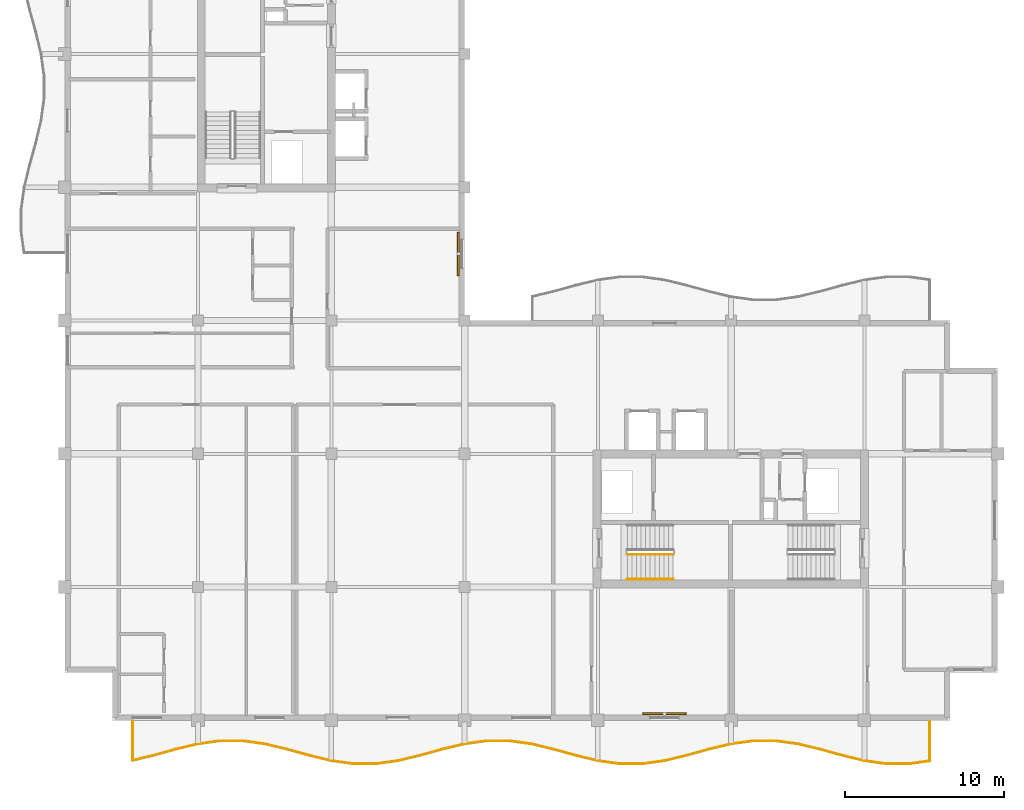
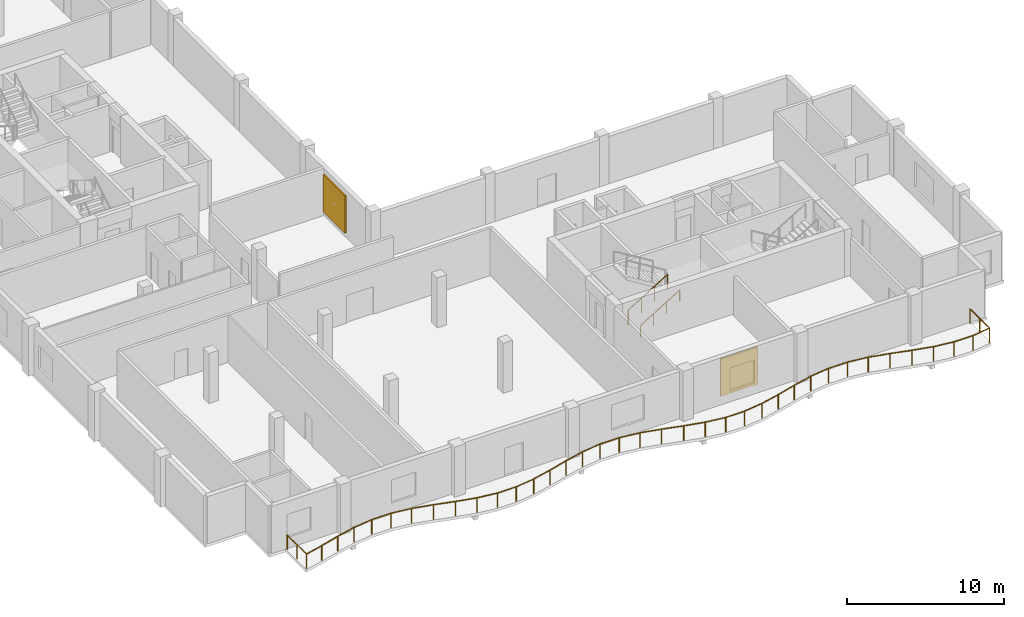
# One storey, part 9 of 11: 3 railings, 2 shading devices.
"""IFC4 building model written with IfcOpenShell, lengths in metres."""

from ifc_helpers import new_model, si_unit, direction, frame, origin, origin_2d, place, context, subcontext, project, spatial, rectangle, circle, extrude, material, layer, layer_set, type_object, element, save


model = new_model("IFC4")

# Units and contexts
model_context = context("Model", 3, precision=1e-05, world=origin(), true_north=direction((0.0, 1.0)))
body_context = subcontext(model_context, "Body", "Model", "MODEL_VIEW")
ifc_project = project(units=[si_unit("LENGTHUNIT", "METRE"), si_unit("AREAUNIT", "SQUARE_METRE"), si_unit("VOLUMEUNIT", "CUBIC_METRE"), si_unit("PLANEANGLEUNIT", "RADIAN"), si_unit("MASSUNIT", "GRAM", prefix="KILO")], contexts=[model_context])

# Site, building, storey
site_placement = place(None, origin())
site = spatial("IfcSite", under=ifc_project, at=site_placement, CompositionType="ELEMENT")
building_placement = place(site_placement, origin())
building = spatial("IfcBuilding", under=site, at=building_placement, Name="Koriwani Terraces Tower", CompositionType="ELEMENT")
storey_placement = place(building_placement, frame((0.0, 0.0, 343.699951171875)))
storey = spatial("IfcBuildingStorey", under=building, at=storey_placement, Name="L85", CompositionType="ELEMENT", Elevation=343.699951171875)

# Railings
ifc_material_1 = material(Name="Steel ASTM A572 Grade 50", Category="steel")
railing_type_1 = type_object("IfcRailingType", Name="GUARD_BALUSTRADE_1150", PredefinedType="BALUSTRADE", material=ifc_material_1)
railing_1_placement = place(storey_placement, frame((12.679931640625, 8.320068359375, 0.0)))
element("IfcRailing", 1, at=railing_1_placement, inside=storey, type_object=railing_type_1, Name="L85 Balcony Perimeter Safety Balustrade (S)", PredefinedType="BALUSTRADE", context=body_context, shape_type="SweptSolid", body=[
    extrude(circle(Radius=0.02392578125, at=origin_2d()), frame((0.0, 0.0, 1.1259765625), z_axis=(0.0, -1.0, 0.0), x_axis=(1.0, 0.0, 0.0)), (0.0, 0.0, 1.0), 2.448974609375),
    extrude(circle(Radius=0.02392578125, at=origin_2d()), frame((0.0, -2.448974609375, 1.1259765625), z_axis=(0.9723458494, 0.233545604015, 0.0), x_axis=(-0.233545604015, 0.9723458494, 0.0)), (0.0, 0.0, 1.0), 1.3369140625),
    extrude(circle(Radius=0.02392578125, at=origin_2d()), frame((1.300048828125, -2.13671875, 1.1259765625), z_axis=(0.963638196753, 0.267210452187, 0.0), x_axis=(-0.267210452187, 0.963638196753, 0.0)), (0.0, 0.0, 1.0), 1.45263671875),
    extrude(circle(Radius=0.02392578125, at=origin_2d()), frame((2.699951171875, -1.74853515625, 1.1259765625), z_axis=(0.972404167631, 0.233302667738, 0.0), x_axis=(-0.233302667738, 0.972404167631, 0.0)), (0.0, 0.0, 1.0), 1.445068359375),
    extrude(circle(Radius=0.02392578125, at=origin_2d()), frame((4.105224609375, -1.411376953125, 1.1259765625), z_axis=(0.990534439774, 0.137264429555, 0.0), x_axis=(-0.137264429555, 0.990534439774, 0.0)), (0.0, 0.0, 1.0), 1.4228515625),
    extrude(circle(Radius=0.02392578125, at=origin_2d()), frame((5.5146484375, -1.216064453125, 1.1259765625), z_axis=(1.0, 0.0, 0.0), x_axis=(0.0, 1.0, 0.0)), (0.0, 0.0, 1.0), 1.410888671875),
    extrude(circle(Radius=0.02392578125, at=origin_2d()), frame((6.925537109375, -1.216064453125, 1.1259765625), z_axis=(0.990534439774, -0.137264429555, 0.0), x_axis=(0.137264429555, 0.990534439774, 0.0)), (0.0, 0.0, 1.0), 1.4228515625),
    extrude(circle(Radius=0.02392578125, at=origin_2d()), frame((8.3349609375, -1.411376953125, 1.1259765625), z_axis=(0.972394970075, -0.233340999769, 0.0), x_axis=(0.233340999769, 0.972394970075, 0.0)), (0.0, 0.0, 1.0), 1.44482421875),
    extrude(circle(Radius=0.02392578125, at=origin_2d()), frame((9.739990234375, -1.74853515625, 1.1259765625), z_axis=(0.963650193341, -0.26716718525, 0.0), x_axis=(0.26716718525, 0.963650193341, 0.0)), (0.0, 0.0, 1.0), 1.452880859375),
    extrude(circle(Radius=0.02392578125, at=origin_2d()), frame((11.14013671875, -2.13671875, 1.1259765625), z_axis=(0.972353303141, -0.233514568862, 0.0), x_axis=(0.233514568862, 0.972353303141, 0.0)), (0.0, 0.0, 1.0), 1.434326171875),
    extrude(circle(Radius=0.02392578125, at=origin_2d()), frame((12.534912109375, -2.4716796875, 1.1259765625), z_axis=(0.990518583157, -0.137378806302, 0.0), x_axis=(0.137378806302, 0.990518583157, 0.0)), (0.0, 0.0, 1.0), 1.404052734375),
    extrude(circle(Radius=0.02392578125, at=origin_2d()), frame((13.925537109375, -2.66455078125, 1.1259765625), z_axis=(1.0, 0.0, 0.0), x_axis=(0.0, 1.0, 0.0)), (0.0, 0.0, 1.0), 1.388916015625),
    extrude(circle(Radius=0.02392578125, at=origin_2d()), frame((15.314453125, -2.66455078125, 1.1259765625), z_axis=(0.990518583157, 0.137378806302, 0.0), x_axis=(-0.137378806302, 0.990518583157, 0.0)), (0.0, 0.0, 1.0), 1.404052734375),
    extrude(circle(Radius=0.02392578125, at=origin_2d()), frame((16.705078125, -2.4716796875, 1.1259765625), z_axis=(0.972362581689, 0.23347592966, 0.0), x_axis=(-0.23347592966, 0.972362581689, 0.0)), (0.0, 0.0, 1.0), 1.4345703125),
    extrude(circle(Radius=0.02392578125, at=origin_2d()), frame((18.10009765625, -2.13671875, 1.1259765625), z_axis=(0.963638196753, 0.267210452187, 0.0), x_axis=(-0.267210452187, 0.963638196753, 0.0)), (0.0, 0.0, 1.0), 1.45263671875),
    extrude(circle(Radius=0.02392578125, at=origin_2d()), frame((19.5, -1.74853515625, 1.1259765625), z_axis=(0.972404167631, 0.233302667738, 0.0), x_axis=(-0.233302667738, 0.972404167631, 0.0)), (0.0, 0.0, 1.0), 1.445068359375),
    extrude(circle(Radius=0.02392578125, at=origin_2d()), frame((20.9052734375, -1.411376953125, 1.1259765625), z_axis=(0.990531206111, 0.137287762455, 0.0), x_axis=(-0.137287762455, 0.990531206111, 0.0)), (0.0, 0.0, 1.0), 1.422607421875),
    extrude(circle(Radius=0.02392578125, at=origin_2d()), frame((22.314453125, -1.216064453125, 1.1259765625), z_axis=(1.0, 0.0, 0.0), x_axis=(0.0, 1.0, 0.0)), (0.0, 0.0, 1.0), 1.4111328125),
    extrude(circle(Radius=0.02392578125, at=origin_2d()), frame((23.7255859375, -1.216064453125, 1.1259765625), z_axis=(0.990531206111, -0.137287762455, 0.0), x_axis=(0.137287762455, 0.990531206111, 0.0)), (0.0, 0.0, 1.0), 1.422607421875),
    extrude(circle(Radius=0.02392578125, at=origin_2d()), frame((25.134765625, -1.411376953125, 1.1259765625), z_axis=(0.972404167631, -0.233302667738, 0.0), x_axis=(0.233302667738, 0.972404167631, 0.0)), (0.0, 0.0, 1.0), 1.445068359375),
    extrude(circle(Radius=0.02392578125, at=origin_2d()), frame((26.5400390625, -1.74853515625, 1.1259765625), z_axis=(0.963650193341, -0.26716718525, 0.0), x_axis=(0.26716718525, 0.963650193341, 0.0)), (0.0, 0.0, 1.0), 1.452880859375),
    extrude(circle(Radius=0.02392578125, at=origin_2d()), frame((27.940185546875, -2.13671875, 1.1259765625), z_axis=(0.972353303141, -0.233514568862, 0.0), x_axis=(0.233514568862, 0.972353303141, 0.0)), (0.0, 0.0, 1.0), 1.434326171875),
    extrude(circle(Radius=0.02392578125, at=origin_2d()), frame((29.3349609375, -2.4716796875, 1.1259765625), z_axis=(0.990518583157, -0.137378806302, 0.0), x_axis=(0.137378806302, 0.990518583157, 0.0)), (0.0, 0.0, 1.0), 1.404052734375),
    extrude(circle(Radius=0.02392578125, at=origin_2d()), frame((30.7255859375, -2.66455078125, 1.1259765625), z_axis=(1.0, 0.0, 0.0), x_axis=(0.0, 1.0, 0.0)), (0.0, 0.0, 1.0), 1.388916015625),
    extrude(circle(Radius=0.02392578125, at=origin_2d()), frame((32.114501953125, -2.66455078125, 1.1259765625), z_axis=(0.990518583157, 0.137378806302, 0.0), x_axis=(-0.137378806302, 0.990518583157, 0.0)), (0.0, 0.0, 1.0), 1.404052734375),
    extrude(circle(Radius=0.02392578125, at=origin_2d()), frame((33.505126953125, -2.4716796875, 1.1259765625), z_axis=(0.972362581689, 0.23347592966, 0.0), x_axis=(-0.23347592966, 0.972362581689, 0.0)), (0.0, 0.0, 1.0), 1.4345703125),
    extrude(circle(Radius=0.02392578125, at=origin_2d()), frame((34.900146484375, -2.13671875, 1.1259765625), z_axis=(0.963638196753, 0.267210452187, 0.0), x_axis=(-0.267210452187, 0.963638196753, 0.0)), (0.0, 0.0, 1.0), 1.45263671875),
    extrude(circle(Radius=0.02392578125, at=origin_2d()), frame((36.300048828125, -1.74853515625, 1.1259765625), z_axis=(0.972404167631, 0.233302667738, 0.0), x_axis=(-0.233302667738, 0.972404167631, 0.0)), (0.0, 0.0, 1.0), 1.445068359375),
    extrude(circle(Radius=0.02392578125, at=origin_2d()), frame((37.705322265625, -1.411376953125, 1.1259765625), z_axis=(0.990531206111, 0.137287762455, 0.0), x_axis=(-0.137287762455, 0.990531206111, 0.0)), (0.0, 0.0, 1.0), 1.422607421875),
    extrude(circle(Radius=0.02392578125, at=origin_2d()), frame((39.114501953125, -1.216064453125, 1.1259765625), z_axis=(1.0, 0.0, 0.0), x_axis=(0.0, 1.0, 0.0)), (0.0, 0.0, 1.0), 1.4111328125),
    extrude(circle(Radius=0.02392578125, at=origin_2d()), frame((40.525634765625, -1.216064453125, 1.1259765625), z_axis=(0.990531206111, -0.137287762455, 0.0), x_axis=(0.137287762455, 0.990531206111, 0.0)), (0.0, 0.0, 1.0), 1.422607421875),
    extrude(circle(Radius=0.02392578125, at=origin_2d()), frame((41.934814453125, -1.411376953125, 1.1259765625), z_axis=(0.972404167631, -0.233302667738, 0.0), x_axis=(0.233302667738, 0.972404167631, 0.0)), (0.0, 0.0, 1.0), 1.445068359375),
    extrude(circle(Radius=0.02392578125, at=origin_2d()), frame((43.340087890625, -1.74853515625, 1.1259765625), z_axis=(0.963638196753, -0.267210452187, 0.0), x_axis=(0.267210452187, 0.963638196753, 0.0)), (0.0, 0.0, 1.0), 1.45263671875),
    extrude(circle(Radius=0.02392578125, at=origin_2d()), frame((44.739990234375, -2.13671875, 1.1259765625), z_axis=(0.972362581689, -0.23347592966, 0.0), x_axis=(0.23347592966, 0.972362581689, 0.0)), (0.0, 0.0, 1.0), 1.4345703125),
    extrude(circle(Radius=0.02392578125, at=origin_2d()), frame((46.135009765625, -2.4716796875, 1.1259765625), z_axis=(0.990518583157, -0.137378806302, 0.0), x_axis=(0.137378806302, 0.990518583157, 0.0)), (0.0, 0.0, 1.0), 1.404052734375),
    extrude(circle(Radius=0.02392578125, at=origin_2d()), frame((47.525634765625, -2.66455078125, 1.1259765625), z_axis=(1.0, 0.0, 0.0), x_axis=(0.0, 1.0, 0.0)), (0.0, 0.0, 1.0), 1.388916015625),
    extrude(circle(Radius=0.02392578125, at=origin_2d()), frame((48.91455078125, -2.66455078125, 1.1259765625), z_axis=(0.990517807296, 0.137384400238, 0.0), x_axis=(-0.137384400238, 0.990517807296, 0.0)), (0.0, 0.0, 1.0), 1.338134765625),
    extrude(circle(Radius=0.02392578125, at=origin_2d()), frame((50.239990234375, -2.480712890625, 1.1259765625), z_axis=(0.0, 1.0, 0.0), x_axis=(-1.0, 0.0, 0.0)), (0.0, 0.0, 1.0), 2.480712890625),
    extrude(circle(Radius=0.02099609375, at=origin_2d()), origin(), (0.0, 0.0, 1.0), 1.101806640625),
    extrude(circle(Radius=0.02099609375, at=origin_2d()), frame((0.0, -1.224609375, 0.0)), (0.0, 0.0, 1.0), 1.101806640625),
    extrude(circle(Radius=0.02099609375, at=origin_2d()), frame((0.0, -2.448974609375, 0.0)), (0.0, 0.0, 1.0), 1.101806640625),
    extrude(circle(Radius=0.02099609375, at=origin_2d()), frame((1.300048828125, -2.13671875, 0.0)), (0.0, 0.0, 1.0), 1.101806640625),
    extrude(circle(Radius=0.02099609375, at=origin_2d()), frame((2.699951171875, -1.74853515625, 0.0)), (0.0, 0.0, 1.0), 1.101806640625),
    extrude(circle(Radius=0.02099609375, at=origin_2d()), frame((4.105224609375, -1.411376953125, 0.0)), (0.0, 0.0, 1.0), 1.101806640625),
    extrude(circle(Radius=0.02099609375, at=origin_2d()), frame((5.5146484375, -1.216064453125, 0.0)), (0.0, 0.0, 1.0), 1.101806640625),
    extrude(circle(Radius=0.02099609375, at=origin_2d()), frame((6.925537109375, -1.216064453125, 0.0)), (0.0, 0.0, 1.0), 1.101806640625),
    extrude(circle(Radius=0.02099609375, at=origin_2d()), frame((8.3349609375, -1.411376953125, 0.0)), (0.0, 0.0, 1.0), 1.101806640625),
    extrude(circle(Radius=0.02099609375, at=origin_2d()), frame((9.739990234375, -1.74853515625, 0.0)), (0.0, 0.0, 1.0), 1.101806640625),
    extrude(circle(Radius=0.02099609375, at=origin_2d()), frame((11.14013671875, -2.13671875, 0.0)), (0.0, 0.0, 1.0), 1.101806640625),
    extrude(circle(Radius=0.02099609375, at=origin_2d()), frame((12.534912109375, -2.4716796875, 0.0)), (0.0, 0.0, 1.0), 1.101806640625),
    extrude(circle(Radius=0.02099609375, at=origin_2d()), frame((13.925537109375, -2.66455078125, 0.0)), (0.0, 0.0, 1.0), 1.101806640625),
    extrude(circle(Radius=0.02099609375, at=origin_2d()), frame((15.314453125, -2.66455078125, 0.0)), (0.0, 0.0, 1.0), 1.101806640625),
    extrude(circle(Radius=0.02099609375, at=origin_2d()), frame((16.705078125, -2.4716796875, 0.0)), (0.0, 0.0, 1.0), 1.101806640625),
    extrude(circle(Radius=0.02099609375, at=origin_2d()), frame((18.10009765625, -2.13671875, 0.0)), (0.0, 0.0, 1.0), 1.101806640625),
    extrude(circle(Radius=0.02099609375, at=origin_2d()), frame((19.5, -1.74853515625, 0.0)), (0.0, 0.0, 1.0), 1.101806640625),
    extrude(circle(Radius=0.02099609375, at=origin_2d()), frame((20.9052734375, -1.411376953125, 0.0)), (0.0, 0.0, 1.0), 1.101806640625),
    extrude(circle(Radius=0.02099609375, at=origin_2d()), frame((22.314453125, -1.216064453125, 0.0)), (0.0, 0.0, 1.0), 1.101806640625),
    extrude(circle(Radius=0.02099609375, at=origin_2d()), frame((23.7255859375, -1.216064453125, 0.0)), (0.0, 0.0, 1.0), 1.101806640625),
    extrude(circle(Radius=0.02099609375, at=origin_2d()), frame((25.134765625, -1.411376953125, 0.0)), (0.0, 0.0, 1.0), 1.101806640625),
    extrude(circle(Radius=0.02099609375, at=origin_2d()), frame((26.5400390625, -1.74853515625, 0.0)), (0.0, 0.0, 1.0), 1.101806640625),
    extrude(circle(Radius=0.02099609375, at=origin_2d()), frame((27.940185546875, -2.13671875, 0.0)), (0.0, 0.0, 1.0), 1.101806640625),
    extrude(circle(Radius=0.02099609375, at=origin_2d()), frame((29.3349609375, -2.4716796875, 0.0)), (0.0, 0.0, 1.0), 1.101806640625),
    extrude(circle(Radius=0.02099609375, at=origin_2d()), frame((30.7255859375, -2.66455078125, 0.0)), (0.0, 0.0, 1.0), 1.101806640625),
    extrude(circle(Radius=0.02099609375, at=origin_2d()), frame((32.114501953125, -2.66455078125, 0.0)), (0.0, 0.0, 1.0), 1.101806640625),
    extrude(circle(Radius=0.02099609375, at=origin_2d()), frame((33.505126953125, -2.4716796875, 0.0)), (0.0, 0.0, 1.0), 1.101806640625),
    extrude(circle(Radius=0.02099609375, at=origin_2d()), frame((34.900146484375, -2.13671875, 0.0)), (0.0, 0.0, 1.0), 1.101806640625),
    extrude(circle(Radius=0.02099609375, at=origin_2d()), frame((36.300048828125, -1.74853515625, 0.0)), (0.0, 0.0, 1.0), 1.101806640625),
    extrude(circle(Radius=0.02099609375, at=origin_2d()), frame((37.705322265625, -1.411376953125, 0.0)), (0.0, 0.0, 1.0), 1.101806640625),
    extrude(circle(Radius=0.02099609375, at=origin_2d()), frame((39.114501953125, -1.216064453125, 0.0)), (0.0, 0.0, 1.0), 1.101806640625),
    extrude(circle(Radius=0.02099609375, at=origin_2d()), frame((40.525634765625, -1.216064453125, 0.0)), (0.0, 0.0, 1.0), 1.101806640625),
    extrude(circle(Radius=0.02099609375, at=origin_2d()), frame((41.934814453125, -1.411376953125, 0.0)), (0.0, 0.0, 1.0), 1.101806640625),
    extrude(circle(Radius=0.02099609375, at=origin_2d()), frame((43.340087890625, -1.74853515625, 0.0)), (0.0, 0.0, 1.0), 1.101806640625),
    extrude(circle(Radius=0.02099609375, at=origin_2d()), frame((44.739990234375, -2.13671875, 0.0)), (0.0, 0.0, 1.0), 1.101806640625),
    extrude(circle(Radius=0.02099609375, at=origin_2d()), frame((46.135009765625, -2.4716796875, 0.0)), (0.0, 0.0, 1.0), 1.101806640625),
    extrude(circle(Radius=0.02099609375, at=origin_2d()), frame((47.525634765625, -2.66455078125, 0.0)), (0.0, 0.0, 1.0), 1.101806640625),
    extrude(circle(Radius=0.02099609375, at=origin_2d()), frame((48.91455078125, -2.66455078125, 0.0)), (0.0, 0.0, 1.0), 1.101806640625),
    extrude(circle(Radius=0.02099609375, at=origin_2d()), frame((50.239990234375, -2.480712890625, 0.0)), (0.0, 0.0, 1.0), 1.101806640625),
    extrude(circle(Radius=0.02099609375, at=origin_2d()), frame((50.239990234375, -1.240234375, 0.0)), (0.0, 0.0, 1.0), 1.101806640625),
    extrude(circle(Radius=0.02099609375, at=origin_2d()), frame((50.239990234375, 0.0, 0.0)), (0.0, 0.0, 1.0), 1.101806640625),
])
railing_type_2 = type_object("IfcRailingType", Name="GUARD_STAIR_WELL_1120", PredefinedType="GUARDRAIL", material=ifc_material_1)
railing_2_placement = place(storey_placement, frame((43.85009765625, 18.85009765625, 0.17724609375)))
element("IfcRailing", 2, at=railing_2_placement, inside=storey, type_object=railing_type_2, Name="L85 ST-E1 stair guard 1", PredefinedType="GUARDRAIL", context=body_context, shape_type="SweptSolid", body=[
    extrude(circle(Radius=0.02392578125, at=origin_2d()), frame((0.0, 0.0, 1.1259765625), z_axis=(0.853210801645, 0.0, 0.521566225858), x_axis=(0.0, 1.0, 0.0)), (0.0, 0.0, 1.0), 3.39892578125),
    extrude(circle(Radius=0.02099609375, at=origin_2d()), origin(), (0.0, 0.0, 1.0), 1.101806640625),
    extrude(circle(Radius=0.02099609375, at=origin_2d()), frame((0.966552734375, 0.0, 0.5908203125)), (0.0, 0.0, 1.0), 1.101806640625),
    extrude(circle(Radius=0.02099609375, at=origin_2d()), frame((1.933349609375, 0.0, 1.181884765625)), (0.0, 0.0, 1.0), 1.101806640625),
    extrude(circle(Radius=0.02099609375, at=origin_2d()), frame((2.89990234375, 0.0, 1.772705078125)), (0.0, 0.0, 1.0), 1.101806640625),
])
railing_type_3 = type_object("IfcRailingType", Name="HANDRAIL_STAIR_920", PredefinedType="HANDRAIL", material=ifc_material_1)
railing_3_placement = place(storey_placement, frame((43.85009765625, 17.300048828125, 0.17724609375)))
element("IfcRailing", 3, at=railing_3_placement, inside=storey, type_object=railing_type_3, Name="L85 ST-E1 stair handrail 1", PredefinedType="HANDRAIL", context=body_context, shape_type="SweptSolid", body=[
    extrude(circle(Radius=0.02392578125, at=origin_2d()), frame((0.0, 0.0, 0.8759765625), z_axis=(0.853210801645, 0.0, 0.521566225858), x_axis=(0.0, 1.0, 0.0)), (0.0, 0.0, 1.0), 3.39892578125),
    extrude(circle(Radius=0.02099609375, at=origin_2d()), origin(), (0.0, 0.0, 1.0), 0.851806640625),
    extrude(circle(Radius=0.02099609375, at=origin_2d()), frame((0.966552734375, 0.0, 0.5908203125)), (0.0, 0.0, 1.0), 0.851806640625),
    extrude(circle(Radius=0.02099609375, at=origin_2d()), frame((1.933349609375, 0.0, 1.181884765625)), (0.0, 0.0, 1.0), 0.851806640625),
    extrude(circle(Radius=0.02099609375, at=origin_2d()), frame((2.89990234375, 0.0, 1.772705078125)), (0.0, 0.0, 1.0), 0.851806640625),
])

# Shading devices
ifc_material_2 = material(Name="Extruded Terracotta Clay", Category="masonry")
ifc_layer = layer(ifc_material_2, 0.1201171875, Name="Extruded Terracotta Clay")
ifc_layer_set = layer_set([ifc_layer], Name="Extruded Terracotta Clay")
shading_device_type = type_object("IfcShadingDeviceType", Name="TERRACOTTA_BAGUETTE_SCREEN_2800", PredefinedType="USERDEFINED", material=ifc_layer_set)
for number, where, z_axis, x_axis, name in (
    (4, (33.195068359375, 37.800048828125, 0.385009765625), (0.0, 0.0, 1.0), (0.0, -1.0, 0.0), "L85 Extruded Terracotta Baguette Screen (NW_IN-2)"),
    (5, (46.199951171875, 8.804931640625, 0.385009765625), (0.0, 0.0, 1.0), (-1.0, 0.0, 0.0), "L85 Extruded Terracotta Baguette Screen (S-12)"),
):
    element("IfcShadingDevice", number, at=place(storey_placement, frame(where, z_axis=z_axis, x_axis=x_axis)), inside=storey, type_object=shading_device_type, Name=name, ObjectType="BAGUETTE", PredefinedType="USERDEFINED", context=body_context, shape_type="SweptSolid", body=[
        extrude(rectangle(XDim=2.760009765625, YDim=0.1201171875, at=origin_2d()), origin(), (0.0, 0.0, 1.0), 2.89990234375),
    ])

save(model, "model.ifc")
